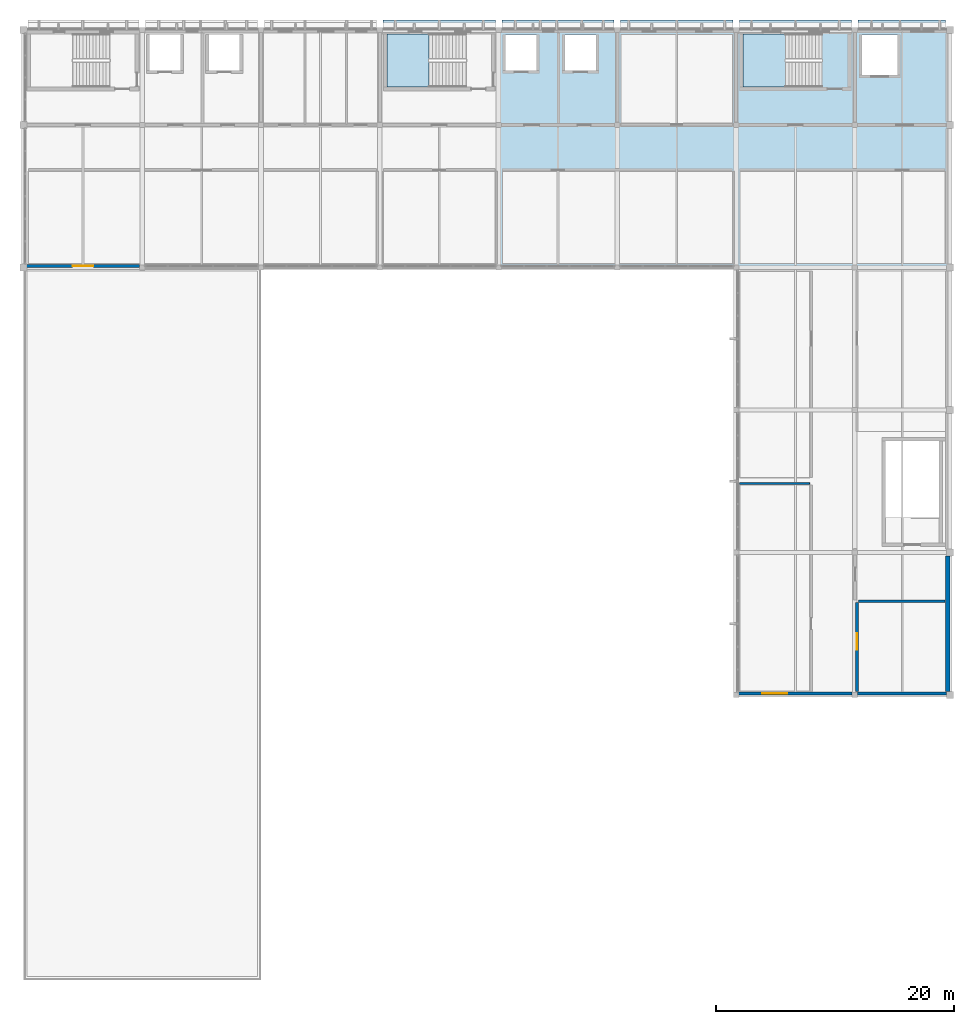
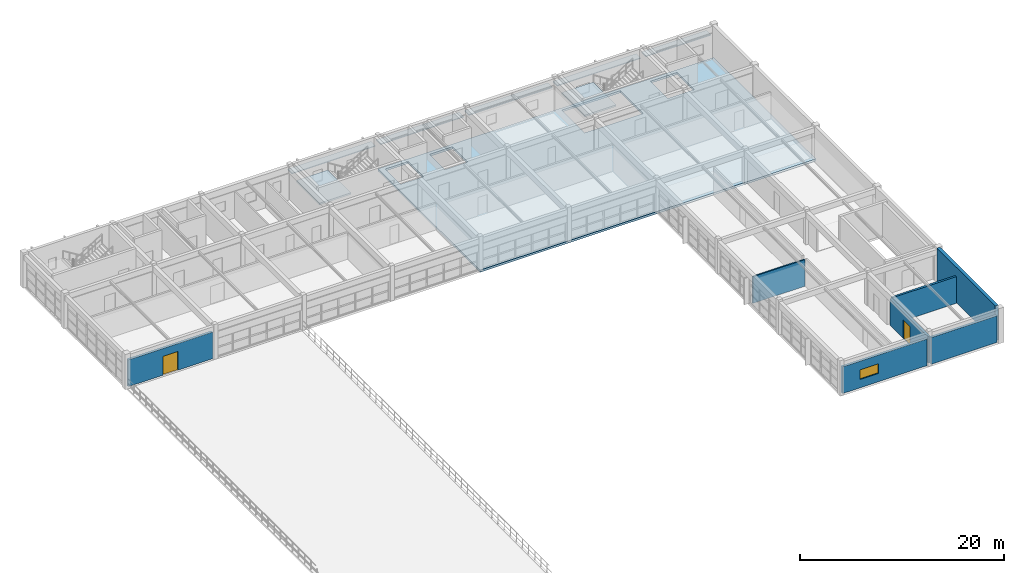
# One storey, part 13 of 21: 7 walls, 5 plates, 3 slabs, 2 doors, 1 window, 3 openings, 2 elements without a shape of their own.
"""IFC4 building model written with IfcOpenShell, lengths in metres."""

from ifc_helpers import new_model, si_unit, direction, frame, frame_2d, origin, origin_2d, place, context, subcontext, project, spatial, polyline, rectangle, outline, extrude, material, layer, layer_set, type_object, element, fill, aggregate, save


model = new_model("IFC4")

# Units and contexts
model_context = context("Model", 3, precision=1e-05, world=origin(), true_north=direction((0.0, 1.0)))
body_context = subcontext(model_context, "Body", "Model", "MODEL_VIEW")
ifc_project = project(units=[si_unit("LENGTHUNIT", "METRE"), si_unit("AREAUNIT", "SQUARE_METRE"), si_unit("VOLUMEUNIT", "CUBIC_METRE"), si_unit("PLANEANGLEUNIT", "RADIAN"), si_unit("MASSUNIT", "GRAM", prefix="KILO")], contexts=[model_context])

# Site, building, storey
site_placement = place(None, origin())
site = spatial("IfcSite", under=ifc_project, at=site_placement, CompositionType="ELEMENT")
building_placement = place(site_placement, origin())
building = spatial("IfcBuilding", under=site, at=building_placement, Name="Kivolera Central Railway Station", CompositionType="ELEMENT")
storey_placement = place(building_placement, frame((0.0, 0.0, 22.800048828125)))
storey = spatial("IfcBuildingStorey", under=building, at=storey_placement, Name="L05", CompositionType="ELEMENT", Elevation=22.800048828125)

# Plates
ifc_material_1 = material(Name="Anodised aluminium", Category="aluminium")
ifc_layer_1 = layer(ifc_material_1, 0.094970703125, Name="Anodised aluminium")
ifc_layer_set_1 = layer_set([ifc_layer_1], Name="Anodised aluminium")
plate_type = type_object("IfcPlateType", Name="PLT-EGGHOOD-95", PredefinedType="SHEET", material=ifc_layer_set_1)
for number, where, z_axis, x_axis, name in (
    (1, (153.0, 134.4130859375, 2.7724609375), (0.0, 0.0, 1.0), (1.0, 0.0, 0.0), "L05 North Afro-Modernist Monsoon Sun-Hood 4"),
    (2, (163.0, 134.4130859375, 2.7724609375), (0.0, 0.0, 1.0), (1.0, 0.0, 0.0), "L05 North Afro-Modernist Monsoon Sun-Hood 5"),
    (3, (173.0, 134.4130859375, 2.7724609375), (0.0, 0.0, 1.0), (1.0, 0.0, 0.0), "L05 North Afro-Modernist Monsoon Sun-Hood 6"),
    (4, (183.0, 134.4130859375, 2.7724609375), (0.0, 0.0, 1.0), (1.0, 0.0, 0.0), "L05 North Afro-Modernist Monsoon Sun-Hood 7"),
):
    element("IfcPlate", number, at=place(storey_placement, frame(where, z_axis=z_axis, x_axis=x_axis)), inside=storey, type_object=plate_type, Name=name, PredefinedType="SHEET", context=body_context, shape_type="SweptSolid", body=[
        extrude(rectangle(XDim=9.43994140625, YDim=0.85009765625, at=origin_2d()), origin(), (0.0, 0.0, 1.0), 0.094970703125),
    ])
plate_placement = place(storey_placement, frame((191.962890625, 134.4130859375, 2.7724609375), z_axis=(0.0, 0.0, 1.0), x_axis=(1.0, 0.0, 0.0)))
element("IfcPlate", 5, at=plate_placement, inside=storey, type_object=plate_type, Name="L05 North Afro-Modernist Monsoon Sun-Hood 8", PredefinedType="SHEET", context=body_context, shape_type="SweptSolid", body=[
    extrude(rectangle(XDim=7.364990234375, YDim=0.85009765625, at=origin_2d()), origin(), (0.0, 0.0, 1.0), 0.094970703125),
])

# Slab
ifc_material_2 = material(Name="Concrete C40/50", Category="concrete")
ifc_layer_2 = layer(ifc_material_2, 0.25, Name="Concrete C40/50")
ifc_layer_set_2 = layer_set([ifc_layer_2], Name="Concrete C40/50")
slab_type_1 = type_object("IfcSlabType", Name="SLB-FLR-250", PredefinedType="FLOOR", material=ifc_layer_set_2)
slab_1_placement = place(storey_placement, frame((0.0, 0.0, -0.25)))
element("IfcSlab", 6, at=slab_1_placement, inside=storey, type_object=slab_type_1, Name="L05 Wing NORTH-E Floor Slab", PredefinedType="FLOOR", context=body_context, shape_type="SweptSolid", body=[
    extrude(outline(polyline([(158.0, 114.0), (196.0, 114.0), (196.0, 134.0), (158.0, 134.0), (158.0, 114.0)]), holes=[polyline([(185.239990234375, 133.679931640625), (178.60009765625, 133.679931640625), (178.60009765625, 129.179931640625), (185.239990234375, 129.179931640625), (185.239990234375, 133.679931640625)]), polyline([(158.60009765625, 130.60009765625), (161.199951171875, 130.60009765625), (161.199951171875, 133.60009765625), (158.60009765625, 133.60009765625), (158.60009765625, 130.60009765625)]), polyline([(163.60009765625, 130.60009765625), (166.199951171875, 130.60009765625), (166.199951171875, 133.60009765625), (163.60009765625, 133.60009765625), (163.60009765625, 130.60009765625)]), polyline([(188.60009765625, 130.199951171875), (191.60009765625, 130.199951171875), (191.60009765625, 133.60009765625), (188.60009765625, 133.60009765625), (188.60009765625, 130.199951171875)])]), origin(), (0.0, 0.0, 1.0), 0.25),
])

# Stair, slab
stair_type = type_object("IfcStairType", Name="STR-2160-24", PredefinedType="HALF_TURN_STAIR", material=ifc_material_2)
stair_1_placement = place(storey_placement, origin())
stair_1 = element("IfcStair", 7, at=stair_1_placement, inside=storey, type_object=stair_type, Name="L05 Protected Exit Stair ST2", PredefinedType="HALF_TURN_STAIR")
ifc_layer_3 = layer(ifc_material_2, 0.199951171875, Name="Concrete C40/50")
ifc_layer_set_3 = layer_set([ifc_layer_3], Name="Concrete C40/50")
slab_type_2 = type_object("IfcSlabType", Name="SLB-LND-200", PredefinedType="LANDING", material=ifc_layer_set_3)
slab_2_placement = place(storey_placement, frame((0.0, 0.0, 1.89990234375)))
slab_2 = element("IfcSlab", 8, at=slab_2_placement, type_object=slab_type_2, Name="ST2 landing 1", PredefinedType="LANDING", context=body_context, shape_type="SweptSolid", body=[
    extrude(outline(polyline([(152.159912109375, 133.679931640625), (148.60009765625, 133.679931640625), (148.60009765625, 129.179931640625), (152.159912109375, 129.179931640625), (152.159912109375, 133.679931640625)])), origin(), (0.0, 0.0, 1.0), 0.199951171875),
])
aggregate(stair_1, [slab_2])

stair_2_placement = place(storey_placement, origin())
stair_2 = element("IfcStair", 9, at=stair_2_placement, inside=storey, type_object=stair_type, Name="L05 Protected Exit Stair ST3", PredefinedType="HALF_TURN_STAIR")
slab_3_placement = place(storey_placement, frame((0.0, 0.0, 1.89990234375)))
slab_3 = element("IfcSlab", 10, at=slab_3_placement, type_object=slab_type_2, Name="ST3 landing 1", PredefinedType="LANDING", context=body_context, shape_type="SweptSolid", body=[
    extrude(outline(polyline([(182.159912109375, 133.679931640625), (178.60009765625, 133.679931640625), (178.60009765625, 129.179931640625), (182.159912109375, 129.179931640625), (182.159912109375, 133.679931640625)])), origin(), (0.0, 0.0, 1.0), 0.199951171875),
])
aggregate(stair_2, [slab_3])

# Wall, opening, door
ifc_layer_4 = layer(ifc_material_2, 0.22998046875, Name="Concrete C40/50")
ifc_layer_set_4 = layer_set([ifc_layer_4], Name="Concrete C40/50")
wall_type_1 = type_object("IfcWallType", Name="WL-COMP-230", PredefinedType="PARTITIONING", material=ifc_layer_set_4)
wall_1_placement = place(storey_placement, frame((188.179931640625, 78.300048828125, 0.0), z_axis=(0.0, 0.0, 1.0), x_axis=(0.0, 1.0, 0.0)))
wall_1 = element("IfcWall", 11, at=wall_1_placement, inside=storey, type_object=wall_type_1, Name="L05 Level 05 Air Handling Plant Room Corridor Wall", PredefinedType="PARTITIONING", context=body_context, shape_type="SweptSolid", body=[
    extrude(rectangle(XDim=7.5, YDim=0.22998046875, at=frame_2d((3.75, 0.0))), origin(), (0.0, 0.0, 1.0), 3.18798828125),
])
opening_1_placement = place(wall_1_placement, frame((3.5, 0.0, 0.0)))
opening_1 = element("IfcOpeningElement", 12, at=opening_1_placement, cuts=wall_1, Name="Opening D-PLT-1400", PredefinedType="OPENING", context=body_context, shape_type="SweptSolid", body=[
    extrude(rectangle(XDim=1.39990234375, YDim=2.199951171875, at=frame_2d((0.699951171875, 1.10009765625))), frame((0.0, 0.125, 0.0), z_axis=(0.0, -1.0, 0.0), x_axis=(1.0, 0.0, 0.0)), (0.0, 0.0, 1.0), 0.25),
])
door_type_1 = type_object("IfcDoorType", Name="DR-D-PLT-1400", OperationType="NOTDEFINED", PredefinedType="DOOR", material=ifc_material_1)
door_1_placement = place(opening_1_placement, origin())
door_1 = element("IfcDoor", 13, at=door_1_placement, inside=storey, type_object=door_type_1, Name="L05 Level 05 Air Handling Plant Room Door", OperationType="SINGLE_SWING_LEFT", OverallHeight=2.199951171875, OverallWidth=1.39990234375, PredefinedType="DOOR", context=body_context, shape_type="SweptSolid", body=[
    extrude(rectangle(XDim=1.39990234375, YDim=2.199951171875, at=frame_2d((0.699951171875, 1.10009765625))), frame((0.0, 0.02490234375, 0.0), z_axis=(0.0, -1.0, 0.0), x_axis=(1.0, 0.0, 0.0)), (0.0, 0.0, 1.0), 0.050048828125),
])
fill(opening_1, door_1)

# Wall
wall_2_placement = place(storey_placement, frame((188.300048828125, 85.89990234375, 0.0), z_axis=(0.0, 0.0, 1.0), x_axis=(1.0, 0.0, 0.0)))
element("IfcWall", 14, at=wall_2_placement, inside=storey, type_object=wall_type_1, Name="L05 Level 05 Air Handling Plant Room Partition Wall", PredefinedType="PARTITIONING", context=body_context, shape_type="SweptSolid", body=[
    extrude(rectangle(XDim=7.300048828125, YDim=0.22998046875, at=frame_2d((3.64990234375, 0.0))), origin(), (0.0, 0.0, 1.0), 3.18798828125),
])

# Wall, opening, door
ifc_material_3 = material(Name="Swahili coral limestone", Category="masonry")
ifc_layer_5 = layer(ifc_material_3, 0.27001953125, Name="Swahili coral limestone")
ifc_layer_set_5 = layer_set([ifc_layer_5], Name="Swahili coral limestone")
wall_type_2 = type_object("IfcWallType", Name="WL-EXT-CORAL-270", PredefinedType="SOLIDWALL", material=ifc_layer_set_5)
wall_3_placement = place(storey_placement, frame((127.780029296875, 114.135009765625, 0.0), z_axis=(0.0, 0.0, 1.0), x_axis=(-1.0, 0.0, 0.0)))
wall_3 = element("IfcWall", 15, at=wall_3_placement, inside=storey, type_object=wall_type_2, Name="L05 Courtyard North Wall 118", PredefinedType="SOLIDWALL", context=body_context, shape_type="SweptSolid", body=[
    extrude(rectangle(XDim=9.56005859375, YDim=0.27001953125, at=frame_2d((4.780029296875, 0.0))), origin(), (0.0, 0.0, 1.0), 3.18798828125),
])
opening_2_placement = place(wall_3_placement, frame((3.905029296875, 0.0, 0.0)))
opening_2 = element("IfcOpeningElement", 16, at=opening_2_placement, cuts=wall_3, Name="Opening TD-1750", PredefinedType="OPENING", context=body_context, shape_type="SweptSolid", body=[
    extrude(rectangle(XDim=1.75, YDim=2.25, at=frame_2d((0.875, 1.125))), frame((0.0, 0.14501953125, 0.0), z_axis=(0.0, -1.0, 0.0), x_axis=(1.0, 0.0, 0.0)), (0.0, 0.0, 1.0), 0.2900390625),
])
door_type_2 = type_object("IfcDoorType", Name="DR-TD-1750", OperationType="NOTDEFINED", PredefinedType="DOOR", material=ifc_material_1)
door_2_placement = place(opening_2_placement, origin())
door_2 = element("IfcDoor", 17, at=door_2_placement, inside=storey, type_object=door_type_2, Name="L05 Canteen Sunset Terrace Door", OperationType="DOUBLE_DOOR_SINGLE_SWING", OverallHeight=2.25, OverallWidth=1.75, PredefinedType="DOOR", context=body_context, shape_type="SweptSolid", body=[
    extrude(rectangle(XDim=1.75, YDim=2.25, at=frame_2d((0.875, 1.125))), frame((0.0, 0.02490234375, 0.0), z_axis=(0.0, -1.0, 0.0), x_axis=(1.0, 0.0, 0.0)), (0.0, 0.0, 1.0), 0.050048828125),
])
fill(opening_2, door_2)

# Wall, opening, window
wall_4_placement = place(storey_placement, frame((187.780029296875, 78.135009765625, 0.0), z_axis=(0.0, 0.0, 1.0), x_axis=(-1.0, 0.0, 0.0)))
wall_4 = element("IfcWall", 18, at=wall_4_placement, inside=storey, type_object=wall_type_2, Name="L05 East Wing South Wall 178", PredefinedType="SOLIDWALL", context=body_context, shape_type="SweptSolid", body=[
    extrude(rectangle(XDim=9.56005859375, YDim=0.27001953125, at=frame_2d((4.780029296875, 0.0))), origin(), (0.0, 0.0, 1.0), 3.18798828125),
])
opening_3_placement = place(wall_4_placement, frame((5.47998046875, 0.0, 1.0)))
opening_3 = element("IfcOpeningElement", 19, at=opening_3_placement, cuts=wall_4, Name="Opening WN-07", PredefinedType="OPENING", context=body_context, shape_type="SweptSolid", body=[
    extrude(rectangle(XDim=2.10009765625, YDim=1.14990234375, at=frame_2d((1.050048828125, 0.574951171875))), frame((0.0, 0.14501953125, 0.0), z_axis=(0.0, -1.0, 0.0), x_axis=(1.0, 0.0, 0.0)), (0.0, 0.0, 1.0), 0.2900390625),
])
ifc_material_4 = material(Name="Double low-E laminated glass", Category="glass")
window_type = type_object("IfcWindowType", Name="WIN-WN-07", PartitioningType="SINGLE_PANEL", PredefinedType="WINDOW", material=ifc_material_4)
window_placement = place(opening_3_placement, origin())
window = element("IfcWindow", 20, at=window_placement, inside=storey, type_object=window_type, Name="L05 East Wing South Window", OverallHeight=1.14990234375, OverallWidth=2.10009765625, PartitioningType="SINGLE_PANEL", PredefinedType="WINDOW", context=body_context, shape_type="SweptSolid", body=[
    extrude(rectangle(XDim=2.10009765625, YDim=1.14990234375, at=frame_2d((1.050048828125, 0.574951171875))), frame((0.0, 0.030029296875, 0.0), z_axis=(0.0, -1.0, 0.0), x_axis=(1.0, 0.0, 0.0)), (0.0, 0.0, 1.0), 0.06005859375),
])
fill(opening_3, window)

# Walls
wall_5_placement = place(storey_placement, frame((195.705078125, 78.135009765625, 0.0), z_axis=(0.0, 0.0, 1.0), x_axis=(-1.0, 0.0, 0.0)))
element("IfcWall", 21, at=wall_5_placement, inside=storey, type_object=wall_type_2, Name="L05 East Wing South Wall 188", PredefinedType="SOLIDWALL", context=body_context, shape_type="SweptSolid", body=[
    extrude(rectangle(XDim=7.485107421875, YDim=0.27001953125, at=frame_2d((3.74267578125, 0.0))), origin(), (0.0, 0.0, 1.0), 3.18798828125),
])
ifc_layer_6 = layer(ifc_material_2, 0.35009765625, Name="Concrete C40/50")
ifc_layer_set_6 = layer_set([ifc_layer_6], Name="Concrete C40/50")
wall_type_3 = type_object("IfcWallType", Name="WL-PARTY-350", PredefinedType="SOLIDWALL", material=ifc_layer_set_6)
wall_6_placement = place(storey_placement, frame((195.824951171875, 89.705078125, 0.0), z_axis=(0.0, 0.0, 1.0), x_axis=(0.0, -1.0, 0.0)))
element("IfcWall", 22, at=wall_6_placement, inside=storey, type_object=wall_type_3, Name="L05 East Infill EI 120 Party Wall 78-90", PredefinedType="SOLIDWALL", context=body_context, shape_type="SweptSolid", body=[
    extrude(rectangle(XDim=11.41015625, YDim=0.35009765625, at=frame_2d((5.705078125, 0.0))), origin(), (0.0, 0.0, 1.0), 4.199951171875),
])
ifc_material_5 = material(Name="Gypsum plasterboard steel-stud partition")
ifc_layer_7 = layer(ifc_material_5, 0.14990234375, Name="Gypsum plasterboard steel-stud partition")
ifc_layer_set_7 = layer_set([ifc_layer_7], Name="Gypsum plasterboard steel-stud partition")
wall_type_4 = type_object("IfcWallType", Name="WL-PRT-150", PredefinedType="PARTITIONING", material=ifc_layer_set_7)
wall_7_placement = place(storey_placement, frame((178.300048828125, 95.800048828125, 0.0), z_axis=(0.0, 0.0, 1.0), x_axis=(1.0, 0.0, 0.0)))
element("IfcWall", 23, at=wall_7_placement, inside=storey, type_object=wall_type_4, Name="L05 Staff Wellness Studio Partition Wall", PredefinedType="PARTITIONING", context=body_context, shape_type="SweptSolid", body=[
    extrude(rectangle(XDim=5.89990234375, YDim=0.14990234375, at=frame_2d((2.949951171875, 0.0))), origin(), (0.0, 0.0, 1.0), 3.18798828125),
])

save(model, "model.ifc")
